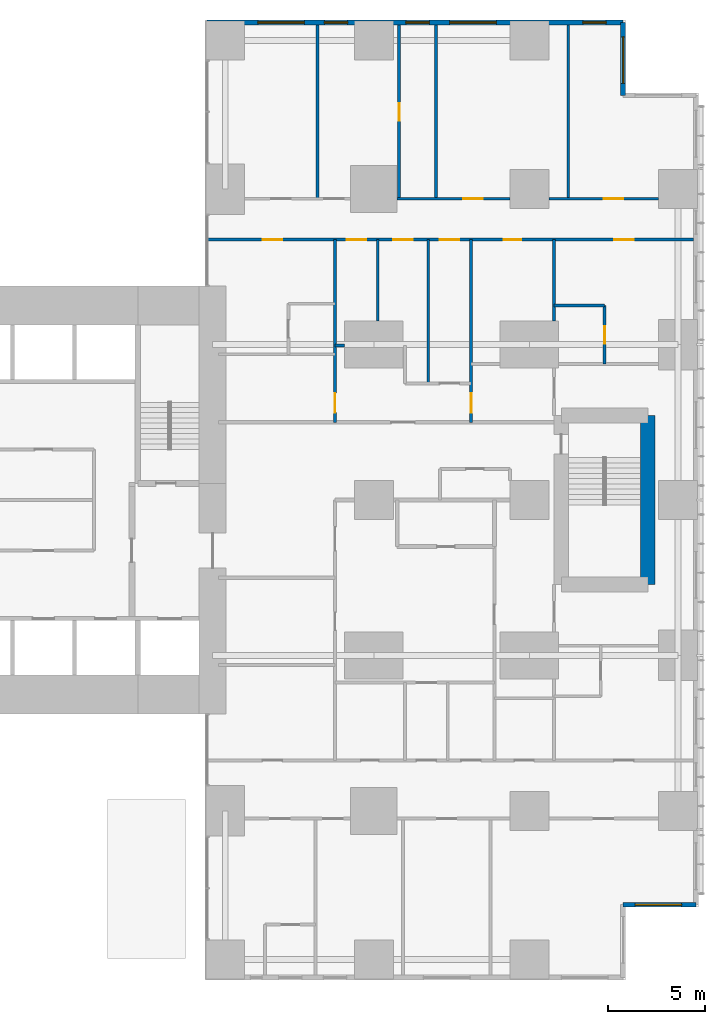
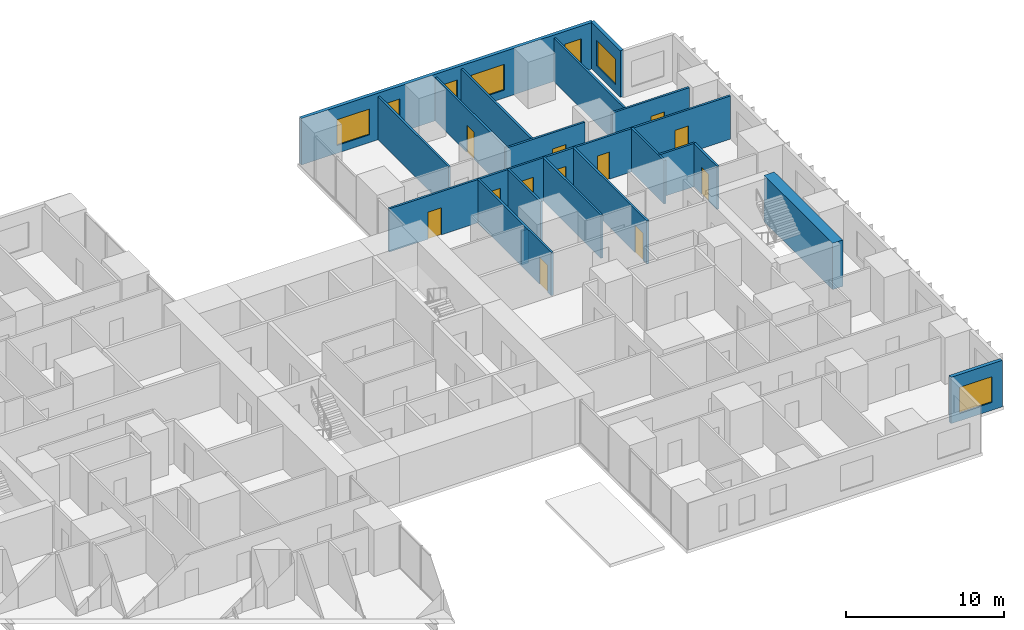
# One storey, part 20 of 22: 19 walls, 12 doors, 7 windows, 19 openings.
"""IFC4 building model written with IfcOpenShell, lengths in metres."""

from ifc_helpers import new_model, si_unit, direction, frame, frame_2d, origin, place, context, subcontext, project, spatial, rectangle, extrude, material, layer, layer_set, type_object, element, fill, save


model = new_model("IFC4")

# Units and contexts
model_context = context("Model", 3, precision=1e-05, world=origin(), true_north=direction((0.0, 1.0)))
body_context = subcontext(model_context, "Body", "Model", "MODEL_VIEW")
ifc_project = project(units=[si_unit("LENGTHUNIT", "METRE"), si_unit("AREAUNIT", "SQUARE_METRE"), si_unit("VOLUMEUNIT", "CUBIC_METRE"), si_unit("PLANEANGLEUNIT", "RADIAN"), si_unit("MASSUNIT", "GRAM", prefix="KILO")], contexts=[model_context])

# Site, building, storey
site_placement = place(None, origin())
site = spatial("IfcSite", under=ifc_project, at=site_placement, CompositionType="ELEMENT")
building_placement = place(site_placement, origin())
building = spatial("IfcBuilding", under=site, at=building_placement, Name="Cleftline Residences", CompositionType="ELEMENT")
storey_placement = place(building_placement, frame((0.0, 0.0, 29.60009765625)))
storey = spatial("IfcBuildingStorey", under=building, at=storey_placement, Name="L06", CompositionType="ELEMENT", Elevation=29.60009765625)

# Wall, opening, window
ifc_material_1 = material(Name="Rendered reinforced concrete blockwork", Category="masonry")
ifc_layer_1 = layer(ifc_material_1, 0.25)
ifc_layer_set_1 = layer_set([ifc_layer_1], Name="EXTERNAL WALL 250")
wall_type_1 = type_object("IfcWallType", Name="EXTERNAL WALL 250", PredefinedType="SOLIDWALL", material=ifc_layer_set_1)
wall_1_placement = place(storey_placement, frame((62.824951171875, 3.175048828125, 0.0), z_axis=(0.0, 0.0, 1.0), x_axis=(1.0, 0.0, 0.0)))
wall_1 = element("IfcWall", 1, at=wall_1_placement, inside=storey, type_object=wall_type_1, Name="External wall", PredefinedType="SOLIDWALL", context=body_context, shape_type="SweptSolid", body=[
    extrude(rectangle(XDim=3.75, YDim=0.25, at=frame_2d((1.875, 0.0))), origin(), (0.0, 0.0, 1.0), 3.599853515625),
])
opening_1_placement = place(wall_1_placement, frame((0.612548828125, 0.0, 0.60009765625)))
opening_1 = element("IfcOpeningElement", 2, at=opening_1_placement, cuts=wall_1, Name="Opening W6", PredefinedType="OPENING", context=body_context, shape_type="SweptSolid", body=[
    extrude(rectangle(XDim=2.39990234375, YDim=2.0, at=frame_2d((1.199951171875, 1.0))), frame((0.0, 0.135009765625, 0.0), z_axis=(0.0, -1.0, 0.0), x_axis=(1.0, 0.0, 0.0)), (0.0, 0.0, 1.0), 0.27001953125),
])
ifc_material_2 = material(Name="Aluminium frame, clear double glazing", Category="aluminium")
window_type_1 = type_object("IfcWindowType", Name="WINDOW 2400X2000", PartitioningType="DOUBLE_PANEL_VERTICAL", PredefinedType="WINDOW", material=ifc_material_2)
window_1_placement = place(opening_1_placement, origin())
window_1 = element("IfcWindow", 3, at=window_1_placement, inside=storey, type_object=window_type_1, Name="Window", OverallHeight=2.0, OverallWidth=2.39990234375, PartitioningType="SINGLE_PANEL", PredefinedType="WINDOW", context=body_context, shape_type="SweptSolid", body=[
    extrude(rectangle(XDim=2.39990234375, YDim=2.0, at=frame_2d((1.199951171875, 1.0))), frame((0.0, 0.030029296875, 0.0), z_axis=(0.0, -1.0, 0.0), x_axis=(1.0, 0.0, 0.0)), (0.0, 0.0, 1.0), 0.06005859375),
])
fill(opening_1, window_1)

wall_2_placement = place(storey_placement, frame((62.824951171875, 44.824951171875, 0.0), z_axis=(0.0, 0.0, 1.0), x_axis=(0.0, 1.0, 0.0)))
wall_2 = element("IfcWall", 4, at=wall_2_placement, inside=storey, type_object=wall_type_1, Name="External wall", PredefinedType="SOLIDWALL", context=body_context, shape_type="SweptSolid", body=[
    extrude(rectangle(XDim=3.75, YDim=0.25, at=frame_2d((1.875, 0.0))), origin(), (0.0, 0.0, 1.0), 3.599853515625),
])
opening_2_placement = place(wall_2_placement, frame((0.612548828125, 0.0, 0.60009765625)))
opening_2 = element("IfcOpeningElement", 5, at=opening_2_placement, cuts=wall_2, Name="Opening W6", PredefinedType="OPENING", context=body_context, shape_type="SweptSolid", body=[
    extrude(rectangle(XDim=2.39990234375, YDim=2.0, at=frame_2d((1.199951171875, 1.0))), frame((0.0, 0.135009765625, 0.0), z_axis=(0.0, -1.0, 0.0), x_axis=(1.0, 0.0, 0.0)), (0.0, 0.0, 1.0), 0.27001953125),
])
window_2_placement = place(opening_2_placement, origin())
window_2 = element("IfcWindow", 6, at=window_2_placement, inside=storey, type_object=window_type_1, Name="Window", OverallHeight=2.0, OverallWidth=2.39990234375, PartitioningType="SINGLE_PANEL", PredefinedType="WINDOW", context=body_context, shape_type="SweptSolid", body=[
    extrude(rectangle(XDim=2.39990234375, YDim=2.0, at=frame_2d((1.199951171875, 1.0))), frame((0.0, 0.030029296875, 0.0), z_axis=(0.0, -1.0, 0.0), x_axis=(1.0, 0.0, 0.0)), (0.0, 0.0, 1.0), 0.06005859375),
])
fill(opening_2, window_2)

# Wall, openings, windows
wall_3_placement = place(storey_placement, frame((62.824951171875, 48.574951171875, 0.0), z_axis=(0.0, 0.0, 1.0), x_axis=(-1.0, 0.0, 0.0)))
wall_3 = element("IfcWall", 7, at=wall_3_placement, inside=storey, type_object=wall_type_1, Name="External wall", PredefinedType="SOLIDWALL", context=body_context, shape_type="SweptSolid", body=[
    extrude(rectangle(XDim=21.39990234375, YDim=0.25, at=frame_2d((10.699951171875, 0.0))), origin(), (0.0, 0.0, 1.0), 3.599853515625),
])
opening_3_placement = place(wall_3_placement, frame((0.875, 0.0, 0.60009765625)))
opening_3 = element("IfcOpeningElement", 8, at=opening_3_placement, cuts=wall_3, Name="Opening W8", PredefinedType="OPENING", context=body_context, shape_type="SweptSolid", body=[
    extrude(rectangle(XDim=1.199951171875, YDim=2.0, at=frame_2d((0.60009765625, 1.0))), frame((0.0, 0.135009765625, 0.0), z_axis=(0.0, -1.0, 0.0), x_axis=(1.0, 0.0, 0.0)), (0.0, 0.0, 1.0), 0.27001953125),
])
opening_4_placement = place(wall_3_placement, frame((6.52490234375, 0.0, 0.60009765625)))
opening_4 = element("IfcOpeningElement", 9, at=opening_4_placement, cuts=wall_3, Name="Opening W6", PredefinedType="OPENING", context=body_context, shape_type="SweptSolid", body=[
    extrude(rectangle(XDim=2.39990234375, YDim=2.0, at=frame_2d((1.199951171875, 1.0))), frame((0.0, 0.135009765625, 0.0), z_axis=(0.0, -1.0, 0.0), x_axis=(1.0, 0.0, 0.0)), (0.0, 0.0, 1.0), 0.27001953125),
])
opening_5_placement = place(wall_3_placement, frame((9.97509765625, 0.0, 0.60009765625)))
opening_5 = element("IfcOpeningElement", 10, at=opening_5_placement, cuts=wall_3, Name="Opening W8", PredefinedType="OPENING", context=body_context, shape_type="SweptSolid", body=[
    extrude(rectangle(XDim=1.199951171875, YDim=2.0, at=frame_2d((0.60009765625, 1.0))), frame((0.0, 0.135009765625, 0.0), z_axis=(0.0, -1.0, 0.0), x_axis=(1.0, 0.0, 0.0)), (0.0, 0.0, 1.0), 0.27001953125),
])
opening_6_placement = place(wall_3_placement, frame((14.175048828125, 0.0, 0.60009765625)))
opening_6 = element("IfcOpeningElement", 11, at=opening_6_placement, cuts=wall_3, Name="Opening W8", PredefinedType="OPENING", context=body_context, shape_type="SweptSolid", body=[
    extrude(rectangle(XDim=1.199951171875, YDim=2.0, at=frame_2d((0.60009765625, 1.0))), frame((0.0, 0.135009765625, 0.0), z_axis=(0.0, -1.0, 0.0), x_axis=(1.0, 0.0, 0.0)), (0.0, 0.0, 1.0), 0.27001953125),
])
opening_7_placement = place(wall_3_placement, frame((16.39990234375, 0.0, 0.60009765625)))
opening_7 = element("IfcOpeningElement", 12, at=opening_7_placement, cuts=wall_3, Name="Opening W6", PredefinedType="OPENING", context=body_context, shape_type="SweptSolid", body=[
    extrude(rectangle(XDim=2.39990234375, YDim=2.0, at=frame_2d((1.199951171875, 1.0))), frame((0.0, 0.135009765625, 0.0), z_axis=(0.0, -1.0, 0.0), x_axis=(1.0, 0.0, 0.0)), (0.0, 0.0, 1.0), 0.27001953125),
])
ifc_material_3 = material(Name="Aluminium frame, clear double glazing", Category="aluminium")
window_type_2 = type_object("IfcWindowType", Name="WINDOW 1200X2000", PartitioningType="DOUBLE_PANEL_VERTICAL", PredefinedType="WINDOW", material=ifc_material_3)
window_3_placement = place(opening_3_placement, origin())
window_3 = element("IfcWindow", 13, at=window_3_placement, inside=storey, type_object=window_type_2, Name="Window", OverallHeight=2.0, OverallWidth=1.199951171875, PartitioningType="SINGLE_PANEL", PredefinedType="WINDOW", context=body_context, shape_type="SweptSolid", body=[
    extrude(rectangle(XDim=1.199951171875, YDim=2.0, at=frame_2d((0.60009765625, 1.0))), frame((0.0, 0.030029296875, 0.0), z_axis=(0.0, -1.0, 0.0), x_axis=(1.0, 0.0, 0.0)), (0.0, 0.0, 1.0), 0.06005859375),
])
fill(opening_3, window_3)
window_4_placement = place(opening_5_placement, origin())
window_4 = element("IfcWindow", 14, at=window_4_placement, inside=storey, type_object=window_type_2, Name="Window", OverallHeight=2.0, OverallWidth=1.199951171875, PartitioningType="SINGLE_PANEL", PredefinedType="WINDOW", context=body_context, shape_type="SweptSolid", body=[
    extrude(rectangle(XDim=1.199951171875, YDim=2.0, at=frame_2d((0.60009765625, 1.0))), frame((0.0, 0.030029296875, 0.0), z_axis=(0.0, -1.0, 0.0), x_axis=(1.0, 0.0, 0.0)), (0.0, 0.0, 1.0), 0.06005859375),
])
fill(opening_5, window_4)
window_5_placement = place(opening_6_placement, origin())
window_5 = element("IfcWindow", 15, at=window_5_placement, inside=storey, type_object=window_type_2, Name="Window", OverallHeight=2.0, OverallWidth=1.199951171875, PartitioningType="SINGLE_PANEL", PredefinedType="WINDOW", context=body_context, shape_type="SweptSolid", body=[
    extrude(rectangle(XDim=1.199951171875, YDim=2.0, at=frame_2d((0.60009765625, 1.0))), frame((0.0, 0.030029296875, 0.0), z_axis=(0.0, -1.0, 0.0), x_axis=(1.0, 0.0, 0.0)), (0.0, 0.0, 1.0), 0.06005859375),
])
fill(opening_6, window_5)
window_6_placement = place(opening_4_placement, origin())
window_6 = element("IfcWindow", 16, at=window_6_placement, inside=storey, type_object=window_type_1, Name="Window", OverallHeight=2.0, OverallWidth=2.39990234375, PartitioningType="SINGLE_PANEL", PredefinedType="WINDOW", context=body_context, shape_type="SweptSolid", body=[
    extrude(rectangle(XDim=2.39990234375, YDim=2.0, at=frame_2d((1.199951171875, 1.0))), frame((0.0, 0.030029296875, 0.0), z_axis=(0.0, -1.0, 0.0), x_axis=(1.0, 0.0, 0.0)), (0.0, 0.0, 1.0), 0.06005859375),
])
fill(opening_4, window_6)
window_7_placement = place(opening_7_placement, origin())
window_7 = element("IfcWindow", 17, at=window_7_placement, inside=storey, type_object=window_type_1, Name="Window", OverallHeight=2.0, OverallWidth=2.39990234375, PartitioningType="SINGLE_PANEL", PredefinedType="WINDOW", context=body_context, shape_type="SweptSolid", body=[
    extrude(rectangle(XDim=2.39990234375, YDim=2.0, at=frame_2d((1.199951171875, 1.0))), frame((0.0, 0.030029296875, 0.0), z_axis=(0.0, -1.0, 0.0), x_axis=(1.0, 0.0, 0.0)), (0.0, 0.0, 1.0), 0.06005859375),
])
fill(opening_7, window_7)

# Walls
ifc_material_4 = material(Name="Gypsum board on steel studs", Category="steel")
ifc_layer_2 = layer(ifc_material_4, 0.14990234375)
ifc_layer_set_2 = layer_set([ifc_layer_2], Name="PARTITION 150")
wall_type_2 = type_object("IfcWallType", Name="PARTITION 150", PredefinedType="PARTITIONING", material=ifc_layer_set_2)
wall_4_placement = place(storey_placement, frame((48.0, 31.949951171875, 0.0), z_axis=(0.0, 0.0, 1.0), x_axis=(1.0, 0.0, 0.0)))
element("IfcWall", 18, at=wall_4_placement, inside=storey, type_object=wall_type_2, Name="Partition", PredefinedType="PARTITIONING", context=body_context, shape_type="SweptSolid", body=[
    extrude(rectangle(XDim=0.5, YDim=0.14990234375, at=frame_2d((0.25, 0.0))), origin(), (0.0, 0.0, 1.0), 2.6337890625),
])
wall_5_placement = place(storey_placement, frame((59.27490234375, 34.0, 0.0), z_axis=(0.0, 0.0, 1.0), x_axis=(1.0, 0.0, 0.0)))
element("IfcWall", 19, at=wall_5_placement, inside=storey, type_object=wall_type_2, Name="Partition", PredefinedType="PARTITIONING", context=body_context, shape_type="SweptSolid", body=[
    extrude(rectangle(XDim=2.60009765625, YDim=0.14990234375, at=frame_2d((1.300048828125, 0.0))), origin(), (0.0, 0.0, 1.0), 3.349853515625),
])

# Wall, openings, doors
wall_6_placement = place(storey_placement, frame((41.43896484375, 37.39990234375, 0.0), z_axis=(0.0, 0.0, 1.0), x_axis=(1.0, 0.0, 0.0)))
wall_6 = element("IfcWall", 20, at=wall_6_placement, inside=storey, type_object=wall_type_2, Name="Partition", PredefinedType="PARTITIONING", context=body_context, shape_type="SweptSolid", body=[
    extrude(rectangle(XDim=25.010986328125, YDim=0.14990234375, at=frame_2d((12.50537109375, 0.0))), origin(), (0.0, 0.0, 1.0), 3.349853515625),
])
opening_8_placement = place(wall_6_placement, frame((11.9609375, 0.0, 0.0)))
opening_8 = element("IfcOpeningElement", 21, at=opening_8_placement, cuts=wall_6, Name="Opening D2F30", PredefinedType="OPENING", context=body_context, shape_type="SweptSolid", body=[
    extrude(rectangle(XDim=1.0, YDim=2.10009765625, at=frame_2d((0.5, 1.050048828125))), frame((0.0, 0.0849609375, 0.0), z_axis=(0.0, -1.0, 0.0), x_axis=(1.0, 0.0, 0.0)), (0.0, 0.0, 1.0), 0.169921875),
])
opening_9_placement = place(wall_6_placement, frame((20.923583984375, 0.0, 0.0)))
opening_9 = element("IfcOpeningElement", 22, at=opening_9_placement, cuts=wall_6, Name="Opening D2F30", PredefinedType="OPENING", context=body_context, shape_type="SweptSolid", body=[
    extrude(rectangle(XDim=1.0, YDim=2.10009765625, at=frame_2d((0.5, 1.050048828125))), frame((0.0, 0.0849609375, 0.0), z_axis=(0.0, -1.0, 0.0), x_axis=(1.0, 0.0, 0.0)), (0.0, 0.0, 1.0), 0.169921875),
])
opening_10_placement = place(wall_6_placement, frame((15.24853515625, 0.0, 0.0)))
opening_10 = element("IfcOpeningElement", 23, at=opening_10_placement, cuts=wall_6, Name="Opening D1F30", PredefinedType="OPENING", context=body_context, shape_type="SweptSolid", body=[
    extrude(rectangle(XDim=0.89990234375, YDim=2.10009765625, at=frame_2d((0.449951171875, 1.050048828125))), frame((0.0, 0.0849609375, 0.0), z_axis=(0.0, -1.0, 0.0), x_axis=(1.0, 0.0, 0.0)), (0.0, 0.0, 1.0), 0.169921875),
])
opening_11_placement = place(wall_6_placement, frame((9.56103515625, 0.0, 0.0)))
opening_11 = element("IfcOpeningElement", 24, at=opening_11_placement, cuts=wall_6, Name="Opening D2F30", PredefinedType="OPENING", context=body_context, shape_type="SweptSolid", body=[
    extrude(rectangle(XDim=1.0, YDim=2.10009765625, at=frame_2d((0.5, 1.050048828125))), frame((0.0, 0.0849609375, 0.0), z_axis=(0.0, -1.0, 0.0), x_axis=(1.0, 0.0, 0.0)), (0.0, 0.0, 1.0), 0.169921875),
])
opening_12_placement = place(wall_6_placement, frame((7.160888671875, 0.0, 0.0)))
opening_12 = element("IfcOpeningElement", 25, at=opening_12_placement, cuts=wall_6, Name="Opening D2F30", PredefinedType="OPENING", context=body_context, shape_type="SweptSolid", body=[
    extrude(rectangle(XDim=1.0, YDim=2.10009765625, at=frame_2d((0.5, 1.050048828125))), frame((0.0, 0.0849609375, 0.0), z_axis=(0.0, -1.0, 0.0), x_axis=(1.0, 0.0, 0.0)), (0.0, 0.0, 1.0), 0.169921875),
])
opening_13_placement = place(wall_6_placement, frame((2.8359375, 0.0, 0.0)))
opening_13 = element("IfcOpeningElement", 26, at=opening_13_placement, cuts=wall_6, Name="Opening D2F30", PredefinedType="OPENING", context=body_context, shape_type="SweptSolid", body=[
    extrude(rectangle(XDim=1.0, YDim=2.10009765625, at=frame_2d((0.5, 1.050048828125))), frame((0.0, 0.0849609375, 0.0), z_axis=(0.0, -1.0, 0.0), x_axis=(1.0, 0.0, 0.0)), (0.0, 0.0, 1.0), 0.169921875),
])
ifc_material_5 = material(Name="Timber veneer on solid core", Category="wood")
door_type_1 = type_object("IfcDoorType", Name="DOOR 1000X2100 EI 30", OperationType="SINGLE_SWING_LEFT", PredefinedType="DOOR", material=ifc_material_5)
door_1_placement = place(opening_8_placement, origin())
door_1 = element("IfcDoor", 27, at=door_1_placement, inside=storey, type_object=door_type_1, Name="Door to residence hall (gallery)", OperationType="SINGLE_SWING_RIGHT", OverallHeight=2.10009765625, OverallWidth=1.0, PredefinedType="DOOR", context=body_context, shape_type="SweptSolid", body=[
    extrude(rectangle(XDim=1.0, YDim=2.10009765625, at=frame_2d((0.5, 1.050048828125))), frame((0.0, 0.02490234375, 0.0), z_axis=(0.0, -1.0, 0.0), x_axis=(1.0, 0.0, 0.0)), (0.0, 0.0, 1.0), 0.050048828125),
])
fill(opening_8, door_1)
door_2_placement = place(opening_9_placement, origin())
door_2 = element("IfcDoor", 28, at=door_2_placement, inside=storey, type_object=door_type_1, Name="Door to master bedroom", OperationType="SINGLE_SWING_LEFT", OverallHeight=2.10009765625, OverallWidth=1.0, PredefinedType="DOOR", context=body_context, shape_type="SweptSolid", body=[
    extrude(rectangle(XDim=1.0, YDim=2.10009765625, at=frame_2d((0.5, 1.050048828125))), frame((0.0, 0.02490234375, 0.0), z_axis=(0.0, -1.0, 0.0), x_axis=(1.0, 0.0, 0.0)), (0.0, 0.0, 1.0), 0.050048828125),
])
fill(opening_9, door_2)
door_3_placement = place(opening_11_placement, origin())
door_3 = element("IfcDoor", 29, at=door_3_placement, inside=storey, type_object=door_type_1, Name="Door to dining room", OperationType="SINGLE_SWING_RIGHT", OverallHeight=2.10009765625, OverallWidth=1.0, PredefinedType="DOOR", context=body_context, shape_type="SweptSolid", body=[
    extrude(rectangle(XDim=1.0, YDim=2.10009765625, at=frame_2d((0.5, 1.050048828125))), frame((0.0, 0.02490234375, 0.0), z_axis=(0.0, -1.0, 0.0), x_axis=(1.0, 0.0, 0.0)), (0.0, 0.0, 1.0), 0.050048828125),
])
fill(opening_11, door_3)
door_4_placement = place(opening_12_placement, origin())
door_4 = element("IfcDoor", 30, at=door_4_placement, inside=storey, type_object=door_type_1, Name="Door to show kitchen", OperationType="SINGLE_SWING_RIGHT", OverallHeight=2.10009765625, OverallWidth=1.0, PredefinedType="DOOR", context=body_context, shape_type="SweptSolid", body=[
    extrude(rectangle(XDim=1.0, YDim=2.10009765625, at=frame_2d((0.5, 1.050048828125))), frame((0.0, 0.02490234375, 0.0), z_axis=(0.0, -1.0, 0.0), x_axis=(1.0, 0.0, 0.0)), (0.0, 0.0, 1.0), 0.050048828125),
])
fill(opening_12, door_4)
door_5_placement = place(opening_13_placement, origin())
door_5 = element("IfcDoor", 31, at=door_5_placement, inside=storey, type_object=door_type_1, Name="Door to bedroom 3", OperationType="SINGLE_SWING_RIGHT", OverallHeight=2.10009765625, OverallWidth=1.0, PredefinedType="DOOR", context=body_context, shape_type="SweptSolid", body=[
    extrude(rectangle(XDim=1.0, YDim=2.10009765625, at=frame_2d((0.5, 1.050048828125))), frame((0.0, 0.02490234375, 0.0), z_axis=(0.0, -1.0, 0.0), x_axis=(1.0, 0.0, 0.0)), (0.0, 0.0, 1.0), 0.050048828125),
])
fill(opening_13, door_5)
ifc_material_6 = material(Name="Timber veneer on solid core", Category="wood")
door_type_2 = type_object("IfcDoorType", Name="DOOR 900X2100 EI 30", OperationType="SINGLE_SWING_LEFT", PredefinedType="DOOR", material=ifc_material_6)
door_6_placement = place(opening_10_placement, origin())
door_6 = element("IfcDoor", 32, at=door_6_placement, inside=storey, type_object=door_type_2, Name="Door to guest bathroom", OperationType="SINGLE_SWING_LEFT", OverallHeight=2.10009765625, OverallWidth=0.89990234375, PredefinedType="DOOR", context=body_context, shape_type="SweptSolid", body=[
    extrude(rectangle(XDim=0.89990234375, YDim=2.10009765625, at=frame_2d((0.449951171875, 1.050048828125))), frame((0.0, 0.02490234375, 0.0), z_axis=(0.0, -1.0, 0.0), x_axis=(1.0, 0.0, 0.0)), (0.0, 0.0, 1.0), 0.050048828125),
])
fill(opening_10, door_6)

# Wall, opening, door
wall_7_placement = place(storey_placement, frame((51.199951171875, 39.5, 0.0), z_axis=(0.0, 0.0, 1.0), x_axis=(1.0, 0.0, 0.0)))
wall_7 = element("IfcWall", 33, at=wall_7_placement, inside=storey, type_object=wall_type_2, Name="Partition", PredefinedType="PARTITIONING", context=body_context, shape_type="SweptSolid", body=[
    extrude(rectangle(XDim=5.800048828125, YDim=0.14990234375, at=frame_2d((2.89990234375, 0.0))), origin(), (0.0, 0.0, 1.0), 3.349853515625),
])
opening_14_placement = place(wall_7_placement, frame((3.39990234375, 0.0, 0.0)))
opening_14 = element("IfcOpeningElement", 34, at=opening_14_placement, cuts=wall_7, Name="Opening D2", PredefinedType="OPENING", context=body_context, shape_type="SweptSolid", body=[
    extrude(rectangle(XDim=1.0, YDim=2.10009765625, at=frame_2d((0.5, 1.050048828125))), frame((0.0, 0.0849609375, 0.0), z_axis=(0.0, -1.0, 0.0), x_axis=(1.0, 0.0, 0.0)), (0.0, 0.0, 1.0), 0.169921875),
])
ifc_material_7 = material(Name="Timber veneer on solid core", Category="wood")
door_type_3 = type_object("IfcDoorType", Name="DOOR 1000X2100", OperationType="SINGLE_SWING_LEFT", PredefinedType="DOOR", material=ifc_material_7)
door_7_placement = place(opening_14_placement, origin())
door_7 = element("IfcDoor", 35, at=door_7_placement, inside=storey, type_object=door_type_3, Name="Door to living room", OperationType="SINGLE_SWING_LEFT", OverallHeight=2.10009765625, OverallWidth=1.0, PredefinedType="DOOR", context=body_context, shape_type="SweptSolid", body=[
    extrude(rectangle(XDim=1.0, YDim=2.10009765625, at=frame_2d((0.5, 1.050048828125))), frame((0.0, 0.02490234375, 0.0), z_axis=(0.0, -1.0, 0.0), x_axis=(1.0, 0.0, 0.0)), (0.0, 0.0, 1.0), 0.050048828125),
])
fill(opening_14, door_7)

wall_8_placement = place(storey_placement, frame((59.0, 39.5, 0.0), z_axis=(0.0, 0.0, 1.0), x_axis=(1.0, 0.0, 0.0)))
wall_8 = element("IfcWall", 36, at=wall_8_placement, inside=storey, type_object=wall_type_2, Name="Partition", PredefinedType="PARTITIONING", context=body_context, shape_type="SweptSolid", body=[
    extrude(rectangle(XDim=5.64990234375, YDim=0.14990234375, at=frame_2d((2.824951171875, 0.0))), origin(), (0.0, 0.0, 1.0), 3.349853515625),
])
opening_15_placement = place(wall_8_placement, frame((2.824951171875, 0.0, 0.0)))
opening_15 = element("IfcOpeningElement", 37, at=opening_15_placement, cuts=wall_8, Name="Opening D2", PredefinedType="OPENING", context=body_context, shape_type="SweptSolid", body=[
    extrude(rectangle(XDim=1.0, YDim=2.10009765625, at=frame_2d((0.5, 1.050048828125))), frame((0.0, 0.0849609375, 0.0), z_axis=(0.0, -1.0, 0.0), x_axis=(1.0, 0.0, 0.0)), (0.0, 0.0, 1.0), 0.169921875),
])
door_8_placement = place(opening_15_placement, origin())
door_8 = element("IfcDoor", 38, at=door_8_placement, inside=storey, type_object=door_type_3, Name="Door to winter garden", OperationType="SINGLE_SWING_LEFT", OverallHeight=2.10009765625, OverallWidth=1.0, PredefinedType="DOOR", context=body_context, shape_type="SweptSolid", body=[
    extrude(rectangle(XDim=1.0, YDim=2.10009765625, at=frame_2d((0.5, 1.050048828125))), frame((0.0, 0.02490234375, 0.0), z_axis=(0.0, -1.0, 0.0), x_axis=(1.0, 0.0, 0.0)), (0.0, 0.0, 1.0), 0.050048828125),
])
fill(opening_15, door_8)

# Wall
wall_9_placement = place(storey_placement, frame((47.10009765625, 39.5, 0.0), z_axis=(0.0, 0.0, 1.0), x_axis=(0.0, 1.0, 0.0)))
element("IfcWall", 39, at=wall_9_placement, inside=storey, type_object=wall_type_2, Name="Partition", PredefinedType="PARTITIONING", context=body_context, shape_type="SweptSolid", body=[
    extrude(rectangle(XDim=8.949951171875, YDim=0.14990234375, at=frame_2d((4.47509765625, 0.0))), origin(), (0.0, 0.0, 1.0), 3.349853515625),
])

# Wall, opening, door
wall_10_placement = place(storey_placement, frame((48.0, 28.0, 0.0), z_axis=(0.0, 0.0, 1.0), x_axis=(0.0, 1.0, 0.0)))
wall_10 = element("IfcWall", 40, at=wall_10_placement, inside=storey, type_object=wall_type_2, Name="Partition", PredefinedType="PARTITIONING", context=body_context, shape_type="SweptSolid", body=[
    extrude(rectangle(XDim=9.39990234375, YDim=0.14990234375, at=frame_2d((4.699951171875, 0.0))), origin(), (0.0, 0.0, 1.0), 3.349853515625),
])
opening_16_placement = place(wall_10_placement, frame((0.5, 0.0, 0.0)))
opening_16 = element("IfcOpeningElement", 41, at=opening_16_placement, cuts=wall_10, Name="Opening D2", PredefinedType="OPENING", context=body_context, shape_type="SweptSolid", body=[
    extrude(rectangle(XDim=1.0, YDim=2.10009765625, at=frame_2d((0.5, 1.050048828125))), frame((0.0, 0.0849609375, 0.0), z_axis=(0.0, -1.0, 0.0), x_axis=(1.0, 0.0, 0.0)), (0.0, 0.0, 1.0), 0.169921875),
])
door_9_placement = place(opening_16_placement, origin())
door_9 = element("IfcDoor", 42, at=door_9_placement, inside=storey, type_object=door_type_3, Name="Door to wet kitchen", OperationType="SINGLE_SWING_RIGHT", OverallHeight=2.10009765625, OverallWidth=1.0, PredefinedType="DOOR", context=body_context, shape_type="SweptSolid", body=[
    extrude(rectangle(XDim=1.0, YDim=2.10009765625, at=frame_2d((0.5, 1.050048828125))), frame((0.0, 0.02490234375, 0.0), z_axis=(0.0, -1.0, 0.0), x_axis=(1.0, 0.0, 0.0)), (0.0, 0.0, 1.0), 0.050048828125),
])
fill(opening_16, door_9)

# Wall
wall_11_placement = place(storey_placement, frame((50.199951171875, 33.199951171875, 0.0), z_axis=(0.0, 0.0, 1.0), x_axis=(0.0, 1.0, 0.0)))
element("IfcWall", 43, at=wall_11_placement, inside=storey, type_object=wall_type_2, Name="Partition", PredefinedType="PARTITIONING", context=body_context, shape_type="SweptSolid", body=[
    extrude(rectangle(XDim=4.199951171875, YDim=0.14990234375, at=frame_2d((2.10009765625, 0.0))), origin(), (0.0, 0.0, 1.0), 3.349853515625),
])

# Wall, opening, door
wall_12_placement = place(storey_placement, frame((51.300048828125, 39.5, 0.0), z_axis=(0.0, 0.0, 1.0), x_axis=(0.0, 1.0, 0.0)))
wall_12 = element("IfcWall", 44, at=wall_12_placement, inside=storey, type_object=wall_type_2, Name="Partition", PredefinedType="PARTITIONING", context=body_context, shape_type="SweptSolid", body=[
    extrude(rectangle(XDim=8.949951171875, YDim=0.14990234375, at=frame_2d((4.47509765625, 0.0))), origin(), (0.0, 0.0, 1.0), 3.349853515625),
])
opening_17_placement = place(wall_12_placement, frame((4.02490234375, 0.0, 0.0)))
opening_17 = element("IfcOpeningElement", 45, at=opening_17_placement, cuts=wall_12, Name="Opening D1", PredefinedType="OPENING", context=body_context, shape_type="SweptSolid", body=[
    extrude(rectangle(XDim=0.89990234375, YDim=2.10009765625, at=frame_2d((0.449951171875, 1.050048828125))), frame((0.0, 0.0849609375, 0.0), z_axis=(0.0, -1.0, 0.0), x_axis=(1.0, 0.0, 0.0)), (0.0, 0.0, 1.0), 0.169921875),
])
ifc_material_8 = material(Name="Timber veneer on solid core", Category="wood")
door_type_4 = type_object("IfcDoorType", Name="DOOR 900X2100", OperationType="SINGLE_SWING_LEFT", PredefinedType="DOOR", material=ifc_material_8)
door_10_placement = place(opening_17_placement, origin())
door_10 = element("IfcDoor", 46, at=door_10_placement, inside=storey, type_object=door_type_4, Name="Door to en-suite bathroom 2", OperationType="SINGLE_SWING_LEFT", OverallHeight=2.10009765625, OverallWidth=0.89990234375, PredefinedType="DOOR", context=body_context, shape_type="SweptSolid", body=[
    extrude(rectangle(XDim=0.89990234375, YDim=2.10009765625, at=frame_2d((0.449951171875, 1.050048828125))), frame((0.0, 0.02490234375, 0.0), z_axis=(0.0, -1.0, 0.0), x_axis=(1.0, 0.0, 0.0)), (0.0, 0.0, 1.0), 0.050048828125),
])
fill(opening_17, door_10)

# Walls
wall_13_placement = place(storey_placement, frame((52.800048828125, 30.0, 0.0), z_axis=(0.0, 0.0, 1.0), x_axis=(0.0, 1.0, 0.0)))
element("IfcWall", 47, at=wall_13_placement, inside=storey, type_object=wall_type_2, Name="Partition", PredefinedType="PARTITIONING", context=body_context, shape_type="SweptSolid", body=[
    extrude(rectangle(XDim=7.39990234375, YDim=0.14990234375, at=frame_2d((3.699951171875, 0.0))), origin(), (0.0, 0.0, 1.0), 3.349853515625),
])
wall_14_placement = place(storey_placement, frame((53.199951171875, 39.5, 0.0), z_axis=(0.0, 0.0, 1.0), x_axis=(0.0, 1.0, 0.0)))
element("IfcWall", 48, at=wall_14_placement, inside=storey, type_object=wall_type_2, Name="Partition", PredefinedType="PARTITIONING", context=body_context, shape_type="SweptSolid", body=[
    extrude(rectangle(XDim=8.949951171875, YDim=0.14990234375, at=frame_2d((4.47509765625, 0.0))), origin(), (0.0, 0.0, 1.0), 3.349853515625),
])

# Wall, opening, door
wall_15_placement = place(storey_placement, frame((55.0, 28.0, 0.0), z_axis=(0.0, 0.0, 1.0), x_axis=(0.0, 1.0, 0.0)))
wall_15 = element("IfcWall", 49, at=wall_15_placement, inside=storey, type_object=wall_type_2, Name="Partition", PredefinedType="PARTITIONING", context=body_context, shape_type="SweptSolid", body=[
    extrude(rectangle(XDim=9.39990234375, YDim=0.14990234375, at=frame_2d((4.699951171875, 0.0))), origin(), (0.0, 0.0, 1.0), 3.349853515625),
])
opening_18_placement = place(wall_15_placement, frame((0.5, 0.0, 0.0)))
opening_18 = element("IfcOpeningElement", 50, at=opening_18_placement, cuts=wall_15, Name="Opening D2F30", PredefinedType="OPENING", context=body_context, shape_type="SweptSolid", body=[
    extrude(rectangle(XDim=1.0, YDim=2.10009765625, at=frame_2d((0.5, 1.050048828125))), frame((0.0, 0.0849609375, 0.0), z_axis=(0.0, -1.0, 0.0), x_axis=(1.0, 0.0, 0.0)), (0.0, 0.0, 1.0), 0.169921875),
])
door_11_placement = place(opening_18_placement, origin())
door_11 = element("IfcDoor", 51, at=door_11_placement, inside=storey, type_object=door_type_1, Name="Door to residence lobby", OperationType="SINGLE_SWING_RIGHT", OverallHeight=2.10009765625, OverallWidth=1.0, PredefinedType="DOOR", context=body_context, shape_type="SweptSolid", body=[
    extrude(rectangle(XDim=1.0, YDim=2.10009765625, at=frame_2d((0.5, 1.050048828125))), frame((0.0, 0.02490234375, 0.0), z_axis=(0.0, -1.0, 0.0), x_axis=(1.0, 0.0, 0.0)), (0.0, 0.0, 1.0), 0.050048828125),
])
fill(opening_18, door_11)

# Walls
wall_16_placement = place(storey_placement, frame((59.27490234375, 33.199951171875, 0.0), z_axis=(0.0, 0.0, 1.0), x_axis=(0.0, 1.0, 0.0)))
element("IfcWall", 52, at=wall_16_placement, inside=storey, type_object=wall_type_2, Name="Partition", PredefinedType="PARTITIONING", context=body_context, shape_type="SweptSolid", body=[
    extrude(rectangle(XDim=4.199951171875, YDim=0.14990234375, at=frame_2d((2.10009765625, 0.0))), origin(), (0.0, 0.0, 1.0), 3.349853515625),
])
wall_17_placement = place(storey_placement, frame((60.0, 39.5, 0.0), z_axis=(0.0, 0.0, 1.0), x_axis=(0.0, 1.0, 0.0)))
element("IfcWall", 53, at=wall_17_placement, inside=storey, type_object=wall_type_2, Name="Partition", PredefinedType="PARTITIONING", context=body_context, shape_type="SweptSolid", body=[
    extrude(rectangle(XDim=8.949951171875, YDim=0.14990234375, at=frame_2d((4.47509765625, 0.0))), origin(), (0.0, 0.0, 1.0), 3.349853515625),
])

# Wall, opening, door
wall_18_placement = place(storey_placement, frame((61.875, 31.0, 0.0), z_axis=(0.0, 0.0, 1.0), x_axis=(0.0, 1.0, 0.0)))
wall_18 = element("IfcWall", 54, at=wall_18_placement, inside=storey, type_object=wall_type_2, Name="Partition", PredefinedType="PARTITIONING", context=body_context, shape_type="SweptSolid", body=[
    extrude(rectangle(XDim=3.0, YDim=0.14990234375, at=frame_2d((1.5, 0.0))), origin(), (0.0, 0.0, 1.0), 3.349853515625),
])
opening_19_placement = place(wall_18_placement, frame((1.050048828125, 0.0, 0.0)))
opening_19 = element("IfcOpeningElement", 55, at=opening_19_placement, cuts=wall_18, Name="Opening D1", PredefinedType="OPENING", context=body_context, shape_type="SweptSolid", body=[
    extrude(rectangle(XDim=0.89990234375, YDim=2.10009765625, at=frame_2d((0.449951171875, 1.050048828125))), frame((0.0, 0.0849609375, 0.0), z_axis=(0.0, -1.0, 0.0), x_axis=(1.0, 0.0, 0.0)), (0.0, 0.0, 1.0), 0.169921875),
])
door_12_placement = place(opening_19_placement, origin())
door_12 = element("IfcDoor", 56, at=door_12_placement, inside=storey, type_object=door_type_4, Name="Door to master bathroom", OperationType="SINGLE_SWING_LEFT", OverallHeight=2.10009765625, OverallWidth=0.89990234375, PredefinedType="DOOR", context=body_context, shape_type="SweptSolid", body=[
    extrude(rectangle(XDim=0.89990234375, YDim=2.10009765625, at=frame_2d((0.449951171875, 1.050048828125))), frame((0.0, 0.02490234375, 0.0), z_axis=(0.0, -1.0, 0.0), x_axis=(1.0, 0.0, 0.0)), (0.0, 0.0, 1.0), 0.050048828125),
])
fill(opening_19, door_12)

# Wall
ifc_material_9 = material(Name="Concrete B70", Category="concrete")
ifc_layer_3 = layer(ifc_material_9, 0.75)
ifc_layer_set_3 = layer_set([ifc_layer_3], Name="SHEAR WALL 750")
wall_type_3 = type_object("IfcWallType", Name="SHEAR WALL 750", PredefinedType="SHEAR", material=ifc_layer_set_3)
wall_19_placement = place(storey_placement, frame((64.10009765625, 19.64990234375, 0.0), z_axis=(0.0, 0.0, 1.0), x_axis=(0.0, 1.0, 0.0)))
element("IfcWall", 57, at=wall_19_placement, inside=storey, type_object=wall_type_3, Name="Wing shear wall", PredefinedType="SHEAR", context=body_context, shape_type="SweptSolid", body=[
    extrude(rectangle(XDim=8.7001953125, YDim=0.75, at=frame_2d((4.35009765625, 0.0))), origin(), (0.0, 0.0, 1.0), 3.599853515625),
])

save(model, "model.ifc")
